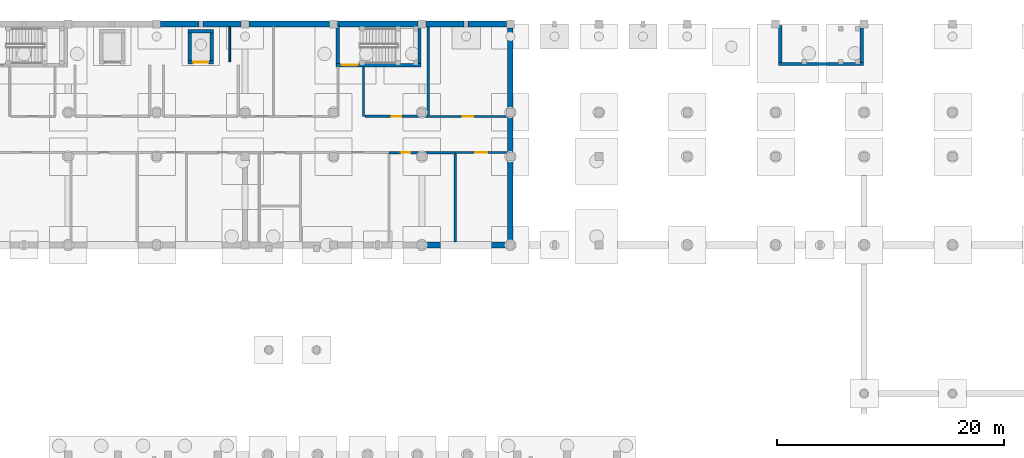
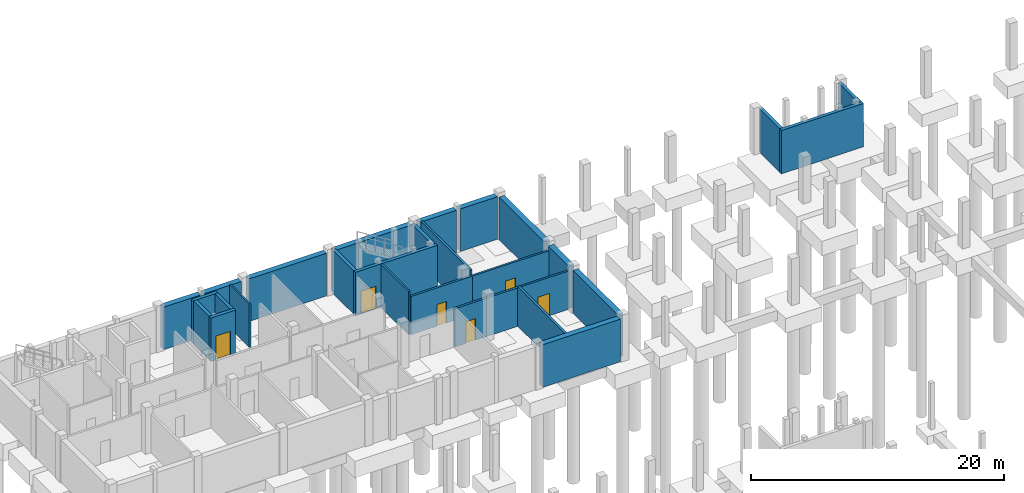
# One storey, part 17 of 24: 28 walls, 6 doors, 6 openings.
"""IFC4 building model written with IfcOpenShell, lengths in metres."""

from ifc_helpers import new_model, si_unit, direction, frame, frame_2d, origin, place, context, subcontext, project, spatial, rectangle, extrude, material, layer, layer_set, type_object, element, fill, save


model = new_model("IFC4")

# Units and contexts
model_context = context("Model", 3, precision=1e-05, world=origin(), true_north=direction((0.0, 1.0)))
body_context = subcontext(model_context, "Body", "Model", "MODEL_VIEW")
ifc_project = project(units=[si_unit("LENGTHUNIT", "METRE"), si_unit("AREAUNIT", "SQUARE_METRE"), si_unit("VOLUMEUNIT", "CUBIC_METRE"), si_unit("PLANEANGLEUNIT", "RADIAN"), si_unit("MASSUNIT", "GRAM", prefix="KILO")], contexts=[model_context])

# Site, building, storey
site_placement = place(None, origin())
site = spatial("IfcSite", under=ifc_project, at=site_placement, CompositionType="ELEMENT")
building_placement = place(site_placement, origin())
building = spatial("IfcBuilding", under=site, at=building_placement, Name="Celorna Specialist Clinic", CompositionType="ELEMENT")
storey_placement = place(building_placement, frame((0.0, 0.0, -4.5)))
storey = spatial("IfcBuildingStorey", under=building, at=storey_placement, Name="B01", CompositionType="ELEMENT", Elevation=-4.5)

# Walls
ifc_material_1 = material(Name="Concrete C35/45", Category="concrete")
ifc_layer_1 = layer(ifc_material_1, 0.5, Name="Concrete C35/45")
ifc_layer_set_1 = layer_set([ifc_layer_1], Name="Concrete C35/45")
wall_type_1 = type_object("IfcWallType", Name="WT-03", PredefinedType="SOLIDWALL", material=ifc_layer_set_1)
for number, where, z_axis, x_axis, name in (
    (1, (62.75, 116.0, 0.0), (0.0, 0.0, 1.0), (1.0, 0.0, 0.0), "External facade wall WT-03 #58"),
    (2, (66.47509765625, 116.0, 0.0), (0.0, 0.0, 1.0), (1.0, 0.0, 0.0), "External facade wall WT-03 #59"),
):
    element("IfcWall", number, at=place(storey_placement, frame(where, z_axis=z_axis, x_axis=x_axis)), inside=storey, type_object=wall_type_1, Name=name, PredefinedType="SOLIDWALL", context=body_context, shape_type="SweptSolid", body=[
        extrude(rectangle(XDim=3.375, YDim=0.5, at=frame_2d((1.6875, 0.0))), origin(), (0.0, 0.0, 1.0), 4.1201171875),
    ])
for number, where, z_axis, x_axis, name in (
    (3, (70.550048828125, 116.0, 0.0), (0.0, 0.0, 1.0), (1.0, 0.0, 0.0), "External facade wall WT-03 #60"),
    (4, (78.35009765625, 116.0, 0.0), (0.0, 0.0, 1.0), (1.0, 0.0, 0.0), "External facade wall WT-03 #61"),
):
    element("IfcWall", number, at=place(storey_placement, frame(where, z_axis=z_axis, x_axis=x_axis)), inside=storey, type_object=wall_type_1, Name=name, PredefinedType="SOLIDWALL", context=body_context, shape_type="SweptSolid", body=[
        extrude(rectangle(XDim=7.099853515625, YDim=0.5, at=frame_2d((3.5498046875, 0.0))), origin(), (0.0, 0.0, 1.0), 4.1201171875),
    ])
for number, where, z_axis, x_axis, name in (
    (5, (86.14990234375, 116.0, 0.0), (0.0, 0.0, 1.0), (1.0, 0.0, 0.0), "External facade wall WT-03 #62"),
    (6, (89.875, 116.0, 0.0), (0.0, 0.0, 1.0), (1.0, 0.0, 0.0), "External facade wall WT-03 #63"),
):
    element("IfcWall", number, at=place(storey_placement, frame(where, z_axis=z_axis, x_axis=x_axis)), inside=storey, type_object=wall_type_1, Name=name, PredefinedType="SOLIDWALL", context=body_context, shape_type="SweptSolid", body=[
        extrude(rectangle(XDim=3.375, YDim=0.5, at=frame_2d((1.6875, 0.0))), origin(), (0.0, 0.0, 1.0), 4.1201171875),
    ])
wall_1_placement = place(storey_placement, frame((93.60009765625, 115.64990234375, 0.0), z_axis=(0.0, 0.0, 1.0), x_axis=(0.0, -1.0, 0.0)))
element("IfcWall", 7, at=wall_1_placement, inside=storey, type_object=wall_type_1, Name="External facade wall WT-03 #64", PredefinedType="SOLIDWALL", context=body_context, shape_type="SweptSolid", body=[
    extrude(rectangle(XDim=7.099853515625, YDim=0.5, at=frame_2d((3.5498046875, 0.0))), origin(), (0.0, 0.0, 1.0), 4.1201171875),
])
wall_2_placement = place(storey_placement, frame((93.60009765625, 107.85009765625, 0.0), z_axis=(0.0, 0.0, 1.0), x_axis=(0.0, -1.0, 0.0)))
element("IfcWall", 8, at=wall_2_placement, inside=storey, type_object=wall_type_1, Name="External facade wall WT-03 #65", PredefinedType="SOLIDWALL", context=body_context, shape_type="SweptSolid", body=[
    extrude(rectangle(XDim=3.2001953125, YDim=0.5, at=frame_2d((1.60009765625, 0.0))), origin(), (0.0, 0.0, 1.0), 4.1201171875),
])
wall_3_placement = place(storey_placement, frame((93.60009765625, 103.949951171875, 0.0), z_axis=(0.0, 0.0, 1.0), x_axis=(0.0, -1.0, 0.0)))
element("IfcWall", 9, at=wall_3_placement, inside=storey, type_object=wall_type_1, Name="External facade wall WT-03 #66", PredefinedType="SOLIDWALL", context=body_context, shape_type="SweptSolid", body=[
    extrude(rectangle(XDim=7.099853515625, YDim=0.5, at=frame_2d((3.5498046875, 0.0))), origin(), (0.0, 0.0, 1.0), 4.1201171875),
])
wall_4_placement = place(storey_placement, frame((93.25, 96.5, 0.0), z_axis=(0.0, 0.0, 1.0), x_axis=(-1.0, 0.0, 0.0)))
element("IfcWall", 10, at=wall_4_placement, inside=storey, type_object=wall_type_1, Name="External facade wall WT-03 #67", PredefinedType="SOLIDWALL", context=body_context, shape_type="SweptSolid", body=[
    extrude(rectangle(XDim=7.10009765625, YDim=0.5, at=frame_2d((3.550048828125, 0.0))), origin(), (0.0, 0.0, 1.0), 4.1201171875),
])

# Wall, opening, door
ifc_layer_2 = layer(ifc_material_1, 0.300048828125, Name="Concrete C35/45")
ifc_layer_set_2 = layer_set([ifc_layer_2], Name="Concrete C35/45")
wall_type_2 = type_object("IfcWallType", Name="WT-08", PredefinedType="SHEAR", material=ifc_layer_set_2)
wall_5_placement = place(storey_placement, frame((78.239990234375, 112.3701171875, 0.0), z_axis=(0.0, 0.0, 1.0), x_axis=(1.0, 0.0, 0.0)))
wall_5 = element("IfcWall", 11, at=wall_5_placement, inside=storey, type_object=wall_type_2, Name="Stair ST-02 RC core wall B01 south", PredefinedType="SHEAR", context=body_context, shape_type="SweptSolid", body=[
    extrude(rectangle(XDim=7.5, YDim=0.300048828125, at=frame_2d((3.75, 0.0))), origin(), (0.0, 0.0, 1.0), 4.199951171875),
])
opening_1_placement = place(wall_5_placement, frame((0.5, 0.0, 0.0)))
opening_1 = element("IfcOpeningElement", 12, at=opening_1_placement, cuts=wall_5, Name="Opening DR-10", PredefinedType="OPENING", context=body_context, shape_type="SweptSolid", body=[
    extrude(rectangle(XDim=1.39990234375, YDim=2.199951171875, at=frame_2d((0.699951171875, 1.10009765625))), frame((0.0, 0.159912109375, 0.0), z_axis=(0.0, -1.0, 0.0), x_axis=(1.0, 0.0, 0.0)), (0.0, 0.0, 1.0), 0.320068359375),
])
ifc_material_2 = material(Name="Protected exit stair fire door")
door_type_1 = type_object("IfcDoorType", Name="DR-10", OperationType="NOTDEFINED", PredefinedType="DOOR", material=ifc_material_2)
door_1_placement = place(opening_1_placement, origin())
door_1 = element("IfcDoor", 13, at=door_1_placement, inside=storey, type_object=door_type_1, Name="Protected exit stair door ST-02 B01", OperationType="SINGLE_SWING_LEFT", OverallHeight=2.199951171875, OverallWidth=1.39990234375, PredefinedType="DOOR", context=body_context, shape_type="SweptSolid", body=[
    extrude(rectangle(XDim=1.39990234375, YDim=2.199951171875, at=frame_2d((0.699951171875, 1.10009765625))), frame((0.0, 0.02490234375, 0.0), z_axis=(0.0, -1.0, 0.0), x_axis=(1.0, 0.0, 0.0)), (0.0, 0.0, 1.0), 0.050048828125),
])
fill(opening_1, door_1)

# Walls
for number, where, z_axis, x_axis, name in (
    (14, (78.389892578125, 115.85009765625, 0.0), (0.0, 0.0, 1.0), (0.0, -1.0, 0.0), "Stair ST-02 RC core wall B01 west"),
    (15, (85.590087890625, 112.52001953125, 0.0), (0.0, 0.0, 1.0), (0.0, 1.0, 0.0), "Stair ST-02 RC core wall B01 east"),
):
    element("IfcWall", number, at=place(storey_placement, frame(where, z_axis=z_axis, x_axis=x_axis)), inside=storey, type_object=wall_type_2, Name=name, PredefinedType="SHEAR", context=body_context, shape_type="SweptSolid", body=[
        extrude(rectangle(XDim=3.330078125, YDim=0.300048828125, at=frame_2d((1.6650390625, 0.0))), origin(), (0.0, 0.0, 1.0), 4.199951171875),
    ])
wall_6_placement = place(storey_placement, frame((117.239990234375, 112.469970703125, 0.0), z_axis=(0.0, 0.0, 1.0), x_axis=(1.0, 0.0, 0.0)))
element("IfcWall", 16, at=wall_6_placement, inside=storey, type_object=wall_type_2, Name="Stair ST-03 RC core wall B01 south", PredefinedType="SHEAR", context=body_context, shape_type="SweptSolid", body=[
    extrude(rectangle(XDim=7.5, YDim=0.300048828125, at=frame_2d((3.75, 0.0))), origin(), (0.0, 0.0, 1.0), 4.199951171875),
])
for number, where, z_axis, x_axis, name in (
    (17, (117.389892578125, 115.85009765625, 0.0), (0.0, 0.0, 1.0), (0.0, -1.0, 0.0), "Stair ST-03 RC core wall B01 west"),
    (18, (124.590087890625, 112.6201171875, 0.0), (0.0, 0.0, 1.0), (0.0, 1.0, 0.0), "Stair ST-03 RC core wall B01 east"),
):
    element("IfcWall", number, at=place(storey_placement, frame(where, z_axis=z_axis, x_axis=x_axis)), inside=storey, type_object=wall_type_2, Name=name, PredefinedType="SHEAR", context=body_context, shape_type="SweptSolid", body=[
        extrude(rectangle(XDim=3.22998046875, YDim=0.300048828125, at=frame_2d((1.614990234375, 0.0))), origin(), (0.0, 0.0, 1.0), 4.199951171875),
    ])

# Wall, opening, door
wall_7_placement = place(storey_placement, frame((65.175048828125, 112.625, 0.0), z_axis=(0.0, 0.0, 1.0), x_axis=(1.0, 0.0, 0.0)))
wall_7 = element("IfcWall", 19, at=wall_7_placement, inside=storey, type_object=wall_type_2, Name="Lift LF-02 RC shaft wall B01", PredefinedType="SHEAR", context=body_context, shape_type="SweptSolid", body=[
    extrude(rectangle(XDim=2.25, YDim=0.300048828125, at=frame_2d((1.125, 0.0))), origin(), (0.0, 0.0, 1.0), 4.199951171875),
])
opening_2_placement = place(wall_7_placement, frame((0.449951171875, 0.0, 0.0)))
opening_2 = element("IfcOpeningElement", 20, at=opening_2_placement, cuts=wall_7, Name="Opening LD-02", PredefinedType="OPENING", context=body_context, shape_type="SweptSolid", body=[
    extrude(rectangle(XDim=1.35009765625, YDim=2.300048828125, at=frame_2d((0.675048828125, 1.14990234375))), frame((0.0, 0.159912109375, 0.0), z_axis=(0.0, -1.0, 0.0), x_axis=(1.0, 0.0, 0.0)), (0.0, 0.0, 1.0), 0.320068359375),
])
ifc_material_3 = material(Name="Firefighting stretcher lift landing sliding door")
door_type_2 = type_object("IfcDoorType", Name="LD-02", OperationType="DOUBLE_DOOR_SLIDING", PredefinedType="DOOR", material=ifc_material_3)
door_2_placement = place(opening_2_placement, origin())
door_2 = element("IfcDoor", 21, at=door_2_placement, inside=storey, type_object=door_type_2, Name="Lift LF-02 sliding landing door B01", OperationType="DOUBLE_DOOR_SLIDING", OverallHeight=2.300048828125, OverallWidth=1.35009765625, PredefinedType="DOOR", context=body_context, shape_type="SweptSolid", body=[
    extrude(rectangle(XDim=1.35009765625, YDim=2.300048828125, at=frame_2d((0.675048828125, 1.14990234375))), frame((0.0, 0.02490234375, 0.0), z_axis=(0.0, -1.0, 0.0), x_axis=(1.0, 0.0, 0.0)), (0.0, 0.0, 1.0), 0.050048828125),
])
fill(opening_2, door_2)

# Walls
wall_8_placement = place(storey_placement, frame((67.425048828125, 115.375, 0.0), z_axis=(0.0, 0.0, 1.0), x_axis=(-1.0, 0.0, 0.0)))
element("IfcWall", 22, at=wall_8_placement, inside=storey, type_object=wall_type_2, Name="Lift LF-02 RC shaft wall B01", PredefinedType="SHEAR", context=body_context, shape_type="SweptSolid", body=[
    extrude(rectangle(XDim=2.25, YDim=0.300048828125, at=frame_2d((1.125, 0.0))), origin(), (0.0, 0.0, 1.0), 4.199951171875),
])
for number, where, z_axis, x_axis, name in (
    (23, (65.324951171875, 115.22509765625, 0.0), (0.0, 0.0, 1.0), (0.0, -1.0, 0.0), "Lift LF-02 RC shaft wall B01"),
    (24, (67.27490234375, 112.77490234375, 0.0), (0.0, 0.0, 1.0), (0.0, 1.0, 0.0), "Lift LF-02 RC shaft wall B01"),
):
    element("IfcWall", number, at=place(storey_placement, frame(where, z_axis=z_axis, x_axis=x_axis)), inside=storey, type_object=wall_type_2, Name=name, PredefinedType="SHEAR", context=body_context, shape_type="SweptSolid", body=[
        extrude(rectangle(XDim=2.4501953125, YDim=0.300048828125, at=frame_2d((1.22509765625, 0.0))), origin(), (0.0, 0.0, 1.0), 4.199951171875),
    ])

# Wall, opening, door
ifc_layer_3 = layer(ifc_material_1, 0.199951171875, Name="Concrete C35/45")
ifc_layer_set_3 = layer_set([ifc_layer_3], Name="Concrete C35/45")
wall_type_3 = type_object("IfcWallType", Name="WT-12", PredefinedType="SOLIDWALL", material=ifc_layer_set_3)
wall_9_placement = place(storey_placement, frame((88.75, 104.64990234375, 0.0), z_axis=(0.0, 0.0, 1.0), x_axis=(-1.0, 0.0, 0.0)))
wall_9 = element("IfcWall", 25, at=wall_9_placement, inside=storey, type_object=wall_type_3, Name="Interior partition WT-12 B01-028", PredefinedType="SOLIDWALL", context=body_context, shape_type="SweptSolid", body=[
    extrude(rectangle(XDim=5.85009765625, YDim=0.199951171875, at=frame_2d((2.925048828125, 0.0))), origin(), (0.0, 0.0, 1.0), 3.7099609375),
])
opening_3_placement = place(wall_9_placement, frame((3.96240234375, 0.0, 0.0)))
opening_3 = element("IfcOpeningElement", 26, at=opening_3_placement, cuts=wall_9, Name="Opening DR-01", PredefinedType="OPENING", context=body_context, shape_type="SweptSolid", body=[
    extrude(rectangle(XDim=0.85009765625, YDim=2.10009765625, at=frame_2d((0.425048828125, 1.050048828125))), frame((0.0, 0.10986328125, 0.0), z_axis=(0.0, -1.0, 0.0), x_axis=(1.0, 0.0, 0.0)), (0.0, 0.0, 1.0), 0.219970703125),
])
ifc_material_4 = material(Name="Powder-coated steel door", Category="steel")
door_type_3 = type_object("IfcDoorType", Name="DR-01", OperationType="NOTDEFINED", PredefinedType="DOOR", material=ifc_material_4)
door_3_placement = place(opening_3_placement, origin())
door_3 = element("IfcDoor", 27, at=door_3_placement, inside=storey, type_object=door_type_3, Name="Air Handling and Heat Recovery Plant Room door B01-028", OperationType="SINGLE_SWING_LEFT", OverallHeight=2.10009765625, OverallWidth=0.85009765625, PredefinedType="DOOR", context=body_context, shape_type="SweptSolid", body=[
    extrude(rectangle(XDim=0.85009765625, YDim=2.10009765625, at=frame_2d((0.425048828125, 1.050048828125))), frame((0.0, 0.02490234375, 0.0), z_axis=(0.0, -1.0, 0.0), x_axis=(1.0, 0.0, 0.0)), (0.0, 0.0, 1.0), 0.050048828125),
])
fill(opening_3, door_3)

wall_10_placement = place(storey_placement, frame((80.760009765625, 107.85009765625, 0.0), z_axis=(0.0, 0.0, 1.0), x_axis=(1.0, 0.0, 0.0)))
wall_10 = element("IfcWall", 28, at=wall_10_placement, inside=storey, type_object=wall_type_3, Name="Interior partition WT-12 B01-033", PredefinedType="SOLIDWALL", context=body_context, shape_type="SweptSolid", body=[
    extrude(rectangle(XDim=5.590087890625, YDim=0.199951171875, at=frame_2d((2.794921875, 0.0))), origin(), (0.0, 0.0, 1.0), 3.7099609375),
])
opening_4_placement = place(wall_10_placement, frame((2.3701171875, 0.0, 0.0)))
opening_4 = element("IfcOpeningElement", 29, at=opening_4_placement, cuts=wall_10, Name="Opening DR-01", PredefinedType="OPENING", context=body_context, shape_type="SweptSolid", body=[
    extrude(rectangle(XDim=0.85009765625, YDim=2.10009765625, at=frame_2d((0.425048828125, 1.050048828125))), frame((0.0, 0.10986328125, 0.0), z_axis=(0.0, -1.0, 0.0), x_axis=(1.0, 0.0, 0.0)), (0.0, 0.0, 1.0), 0.219970703125),
])
door_4_placement = place(opening_4_placement, origin())
door_4 = element("IfcDoor", 30, at=door_4_placement, inside=storey, type_object=door_type_3, Name="Air Handling and Heat Recovery Plant Room door B01-033", OperationType="SINGLE_SWING_RIGHT", OverallHeight=2.10009765625, OverallWidth=0.85009765625, PredefinedType="DOOR", context=body_context, shape_type="SweptSolid", body=[
    extrude(rectangle(XDim=0.85009765625, YDim=2.10009765625, at=frame_2d((0.425048828125, 1.050048828125))), frame((0.0, 0.02490234375, 0.0), z_axis=(0.0, -1.0, 0.0), x_axis=(1.0, 0.0, 0.0)), (0.0, 0.0, 1.0), 0.050048828125),
])
fill(opening_4, door_4)

# Walls
wall_11_placement = place(storey_placement, frame((88.75, 96.75, 0.0), z_axis=(0.0, 0.0, 1.0), x_axis=(0.0, 1.0, 0.0)))
element("IfcWall", 31, at=wall_11_placement, inside=storey, type_object=wall_type_3, Name="Room dividing partition WT-12 B01-028", PredefinedType="SOLIDWALL", context=body_context, shape_type="SweptSolid", body=[
    extrude(rectangle(XDim=7.800048828125, YDim=0.199951171875, at=frame_2d((3.89990234375, 0.0))), origin(), (0.0, 0.0, 1.0), 3.840087890625),
])
wall_12_placement = place(storey_placement, frame((86.35009765625, 107.949951171875, 0.0), z_axis=(0.0, 0.0, 1.0), x_axis=(0.0, 1.0, 0.0)))
element("IfcWall", 32, at=wall_12_placement, inside=storey, type_object=wall_type_3, Name="Room dividing partition WT-12 B01-033", PredefinedType="SOLIDWALL", context=body_context, shape_type="SweptSolid", body=[
    extrude(rectangle(XDim=7.800048828125, YDim=0.199951171875, at=frame_2d((3.89990234375, 0.0))), origin(), (0.0, 0.0, 1.0), 4.199951171875),
])

# Wall, opening, door
ifc_material_5 = material(Name="Acoustic masonry clinical partition", Category="masonry")
ifc_layer_4 = layer(ifc_material_5, 0.179931640625, Name="Acoustic masonry clinical partition")
ifc_layer_set_4 = layer_set([ifc_layer_4], Name="Acoustic masonry clinical partition")
wall_type_4 = type_object("IfcWallType", Name="WT-13", PredefinedType="PARTITIONING", material=ifc_layer_set_4)
wall_13_placement = place(storey_placement, frame((93.35009765625, 104.64990234375, 0.0), z_axis=(0.0, 0.0, 1.0), x_axis=(-1.0, 0.0, 0.0)))
wall_13 = element("IfcWall", 33, at=wall_13_placement, inside=storey, type_object=wall_type_4, Name="Interior partition WT-13 B01-029", PredefinedType="PARTITIONING", context=body_context, shape_type="SweptSolid", body=[
    extrude(rectangle(XDim=4.60009765625, YDim=0.179931640625, at=frame_2d((2.300048828125, 0.0))), origin(), (0.0, 0.0, 1.0), 3.7099609375),
])
opening_5_placement = place(wall_13_placement, frame((1.77490234375, 0.0, 0.0)))
opening_5 = element("IfcOpeningElement", 34, at=opening_5_placement, cuts=wall_13, Name="Opening DR-05", PredefinedType="OPENING", context=body_context, shape_type="SweptSolid", body=[
    extrude(rectangle(XDim=1.050048828125, YDim=2.14990234375, at=frame_2d((0.52490234375, 1.074951171875))), frame((0.0, 0.099853515625, 0.0), z_axis=(0.0, -1.0, 0.0), x_axis=(1.0, 0.0, 0.0)), (0.0, 0.0, 1.0), 0.199951171875),
])
ifc_material_6 = material(Name="Timber examination room door", Category="wood")
door_type_4 = type_object("IfcDoorType", Name="DR-05", OperationType="NOTDEFINED", PredefinedType="DOOR", material=ifc_material_6)
door_5_placement = place(opening_5_placement, origin())
door_5 = element("IfcDoor", 35, at=door_5_placement, inside=storey, type_object=door_type_4, Name="Clinical IT Server and Telemetry Room door B01-029", OperationType="SINGLE_SWING_RIGHT", OverallHeight=2.14990234375, OverallWidth=1.050048828125, PredefinedType="DOOR", context=body_context, shape_type="SweptSolid", body=[
    extrude(rectangle(XDim=1.050048828125, YDim=2.14990234375, at=frame_2d((0.52490234375, 1.074951171875))), frame((0.0, 0.02490234375, 0.0), z_axis=(0.0, -1.0, 0.0), x_axis=(1.0, 0.0, 0.0)), (0.0, 0.0, 1.0), 0.050048828125),
])
fill(opening_5, door_5)

wall_14_placement = place(storey_placement, frame((86.35009765625, 107.85009765625, 0.0), z_axis=(0.0, 0.0, 1.0), x_axis=(1.0, 0.0, 0.0)))
wall_14 = element("IfcWall", 36, at=wall_14_placement, inside=storey, type_object=wall_type_4, Name="Interior partition WT-13 B01-034", PredefinedType="PARTITIONING", context=body_context, shape_type="SweptSolid", body=[
    extrude(rectangle(XDim=7.0, YDim=0.179931640625, at=frame_2d((3.5, 0.0))), origin(), (0.0, 0.0, 1.0), 3.7099609375),
])
opening_6_placement = place(wall_14_placement, frame((3.0400390625, 0.0, 0.0)))
opening_6 = element("IfcOpeningElement", 37, at=opening_6_placement, cuts=wall_14, Name="Opening DR-20", PredefinedType="OPENING", context=body_context, shape_type="SweptSolid", body=[
    extrude(rectangle(XDim=0.919921875, YDim=2.14990234375, at=frame_2d((0.4599609375, 1.074951171875))), frame((0.0, 0.099853515625, 0.0), z_axis=(0.0, -1.0, 0.0), x_axis=(1.0, 0.0, 0.0)), (0.0, 0.0, 1.0), 0.199951171875),
])
ifc_material_7 = material(Name="Timber clinical consultation door", Category="wood")
door_type_5 = type_object("IfcDoorType", Name="DR-20", OperationType="NOTDEFINED", PredefinedType="DOOR", material=ifc_material_7)
door_6_placement = place(opening_6_placement, origin())
door_6 = element("IfcDoor", 38, at=door_6_placement, inside=storey, type_object=door_type_5, Name="Clinical IT Server and Telemetry Room door B01-034", OperationType="SINGLE_SWING_LEFT", OverallHeight=2.14990234375, OverallWidth=0.919921875, PredefinedType="DOOR", context=body_context, shape_type="SweptSolid", body=[
    extrude(rectangle(XDim=0.919921875, YDim=2.14990234375, at=frame_2d((0.4599609375, 1.074951171875))), frame((0.0, 0.02490234375, 0.0), z_axis=(0.0, -1.0, 0.0), x_axis=(1.0, 0.0, 0.0)), (0.0, 0.0, 1.0), 0.050048828125),
])
fill(opening_6, door_6)

# Walls
ifc_material_8 = material(Name="Fire-rated gypsum board partition")
ifc_layer_5 = layer(ifc_material_8, 0.14990234375, Name="Fire-rated gypsum board partition")
ifc_layer_set_5 = layer_set([ifc_layer_5], Name="Fire-rated gypsum board partition")
wall_type_5 = type_object("IfcWallType", Name="WT-14", PredefinedType="PARTITIONING", material=ifc_layer_set_5)
wall_15_placement = place(storey_placement, frame((80.639892578125, 107.85009765625, 0.0), z_axis=(0.0, 0.0, 1.0), x_axis=(0.0, 1.0, 0.0)))
element("IfcWall", 39, at=wall_15_placement, inside=storey, type_object=wall_type_5, Name="Corridor spur partition WT-14", PredefinedType="PARTITIONING", context=body_context, shape_type="SweptSolid", body=[
    extrude(rectangle(XDim=4.369873046875, YDim=0.14990234375, at=frame_2d((2.18505859375, 0.0))), origin(), (0.0, 0.0, 1.0), 4.199951171875),
])
wall_16_placement = place(storey_placement, frame((68.85009765625, 112.64990234375, 0.0), z_axis=(0.0, 0.0, 1.0), x_axis=(0.0, 1.0, 0.0)))
element("IfcWall", 40, at=wall_16_placement, inside=storey, type_object=wall_type_5, Name="Room dividing partition WT-14 B01-031", PredefinedType="PARTITIONING", context=body_context, shape_type="SweptSolid", body=[
    extrude(rectangle(XDim=3.10009765625, YDim=0.14990234375, at=frame_2d((1.550048828125, 0.0))), origin(), (0.0, 0.0, 1.0), 4.199951171875),
])

save(model, "model.ifc")
